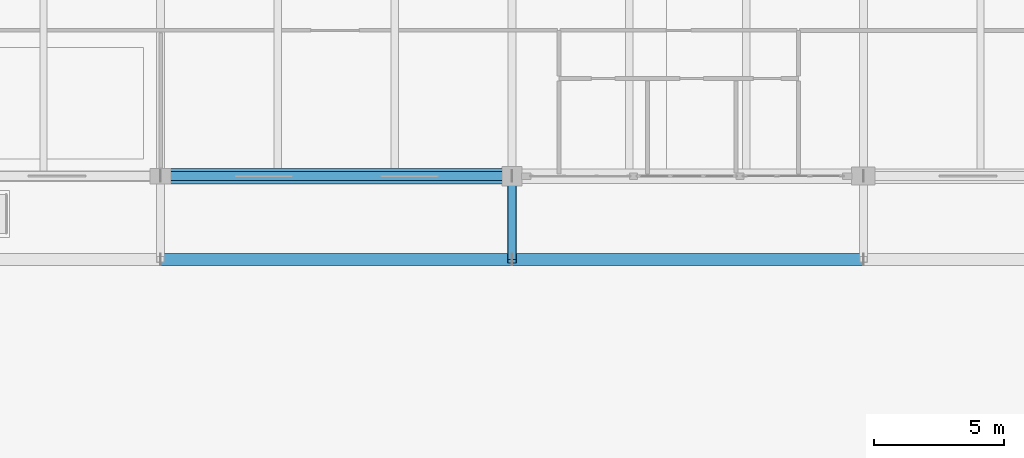
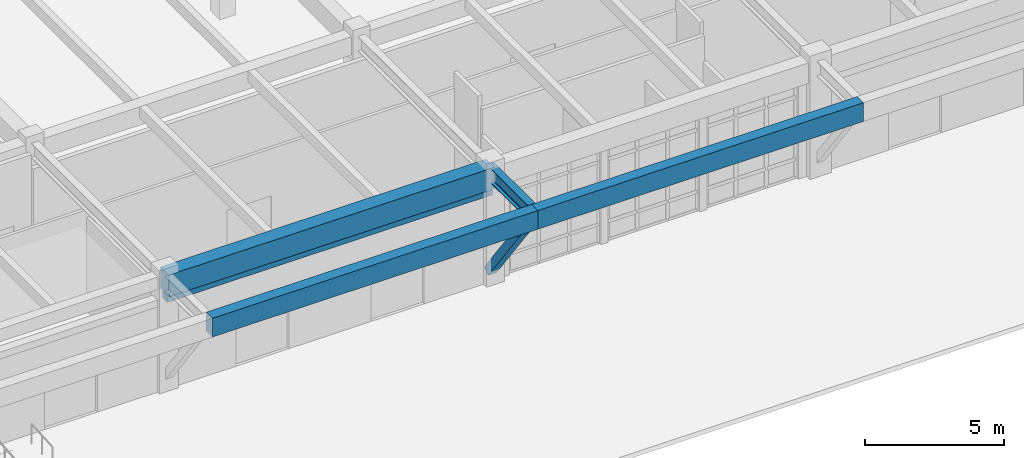
# One storey, part 16 of 138: 5 beams, 1 member.
"""IFC4 building model written with IfcOpenShell, lengths in metres."""

import ifcopenshell
import ifcopenshell.guid

model = None  # the IFC model being written
_history = None  # IfcOwnerHistory: only IFC2X3 demands one
_inside = {}  # id of a spatial element -> (the spatial element, [elements in it])
_under = {}  # id of a project, library or spatial element -> (it, [spatial elements below it])
_declared = {}  # id of a project -> (the project, [libraries it declares])
_typed = {}  # id of a type object -> (the type object, [elements of that type])
_made_of = {}  # id of a material, layer set ... -> (it, [elements and type objects made of it])


def new_model(schema):
    """Start an empty IFC model of exactly this schema.

    Asked for "IFC4X3", IfcOpenShell would pick the latest addendum, in which some entities
    have other attributes; the version numbers below select the first issue.
    IFC2X3 requires an IfcOwnerHistory on every rooted entity: one is made here for all.
    """
    global model, _history
    if schema == "IFC4X3":
        model = ifcopenshell.file(schema_version=(4, 3, 0, 0))
    else:
        model = ifcopenshell.file(schema=schema)
    _inside.clear()
    _under.clear()
    _declared.clear()
    _typed.clear()
    _made_of.clear()
    _history = None
    if model.schema == "IFC2X3":
        org = make("IfcOrganization", Name="unknown")
        user = make(
            "IfcPersonAndOrganization",
            ThePerson=make("IfcPerson", FamilyName="unknown"),
            TheOrganization=org,
        )
        app = make(
            "IfcApplication",
            ApplicationDeveloper=org,
            Version="unknown",
            ApplicationFullName="unknown",
            ApplicationIdentifier="unknown",
        )
        _history = make(
            "IfcOwnerHistory",
            OwningUser=user,
            OwningApplication=app,
            ChangeAction="ADDED",
            CreationDate=0,
        )
    return model


def make(cls, **values):
    """One entity of the class cls with the attributes given. An attribute that is None is left unset."""
    return model.create_entity(
        cls, **{name: value for name, value in values.items() if value is not None}
    )


def rooted(cls, **values):
    """An entity with a GlobalId (a new one), such as an element, a storey or a relation."""
    return make(cls, GlobalId=ifcopenshell.guid.new(), OwnerHistory=_history, **values)


def si_unit(unit_type, name, prefix=None):
    """IfcSIUnit, for example si_unit("LENGTHUNIT", "METRE", prefix="MILLI")."""
    return make("IfcSIUnit", UnitType=unit_type, Prefix=prefix, Name=name)


def assignment(units):
    """IfcUnitAssignment: the units of a project."""
    return None if units is None else make("IfcUnitAssignment", Units=units)


def point(xyz):
    """IfcCartesianPoint."""
    return None if xyz is None else make("IfcCartesianPoint", Coordinates=xyz)


def direction(xyz):
    """IfcDirection."""
    return None if xyz is None else make("IfcDirection", DirectionRatios=xyz)


def frame(location, z_axis=None, x_axis=None):
    """IfcAxis2Placement3D, a coordinate frame: its origin and axes. An axis left out is left unset."""
    return make(
        "IfcAxis2Placement3D",
        Location=point(location),
        Axis=direction(z_axis),
        RefDirection=direction(x_axis),
    )


def frame_2d(location, x_axis=None):
    """IfcAxis2Placement2D, a coordinate frame in the plane: its origin and x axis."""
    return make(
        "IfcAxis2Placement2D", Location=point(location), RefDirection=direction(x_axis)
    )


def origin():
    """The frame at (0, 0, 0) with its axes left unset."""
    return frame((0.0, 0.0, 0.0))


def origin_2d():
    """The frame at (0, 0) in the plane with its x axis left unset."""
    return frame_2d((0.0, 0.0))


def place(relative_to, where):
    """IfcLocalPlacement: puts the frame where relative to a parent placement (None: the world)."""
    return make(
        "IfcLocalPlacement", PlacementRelTo=relative_to, RelativePlacement=where
    )


def context(
    kind, dimensions, precision=None, world=None, true_north=None, identifier=None
):
    """IfcGeometricRepresentationContext, for example the 3D "Model" context."""
    return make(
        "IfcGeometricRepresentationContext",
        ContextIdentifier=identifier,
        ContextType=kind,
        CoordinateSpaceDimension=dimensions,
        Precision=precision,
        WorldCoordinateSystem=world,
        TrueNorth=true_north,
    )


def subcontext(parent, identifier, kind, view, scale=None):
    """IfcGeometricRepresentationSubContext, for example "Body" below "Model"."""
    return make(
        "IfcGeometricRepresentationSubContext",
        ContextIdentifier=identifier,
        ContextType=kind,
        ParentContext=parent,
        TargetScale=scale,
        TargetView=view,
    )


def project(units=None, contexts=None):
    """IfcProject with its units and contexts."""
    return rooted(
        "IfcProject",
        Name="project",
        RepresentationContexts=contexts,
        UnitsInContext=assignment(units),
    )


def spatial(cls, under=None, at=None, **own):
    """A site, building, storey or space (cls), placed at a placement, below another one or the project."""
    s = rooted(cls, ObjectPlacement=at, **own)
    if under is not None:
        _under.setdefault(under.id(), (under, []))[1].append(s)
    return s


def profile(cls, at=None, kind="AREA", **sizes):
    """A parametric profile (cls). Its sizes go by their IFC names, for example OverallWidth=200.0."""
    return make(cls, ProfileType=kind, Position=at, **sizes)


def rectangle(**sizes):
    """IfcRectangleProfileDef."""
    return profile("IfcRectangleProfileDef", **sizes)


def hollow_rectangle(**sizes):
    """IfcRectangleHollowProfileDef."""
    return profile("IfcRectangleHollowProfileDef", **sizes)


def i_section(**sizes):
    """IfcIShapeProfileDef."""
    return profile("IfcIShapeProfileDef", **sizes)


def extrude(swept, where, along, depth):
    """IfcExtrudedAreaSolid: the profile swept, set in the frame where, extruded along a direction by depth."""
    return make(
        "IfcExtrudedAreaSolid",
        SweptArea=swept,
        Position=where,
        ExtrudedDirection=direction(along),
        Depth=depth,
    )


def shape(context_of_items, identifier, shape_type, items):
    """IfcShapeRepresentation: the items that make up one representation, for example the "Body"."""
    return make(
        "IfcShapeRepresentation",
        ContextOfItems=context_of_items,
        RepresentationIdentifier=identifier,
        RepresentationType=shape_type,
        Items=items,
    )


def material(Name=None, Category=None):
    """IfcMaterial."""
    return make("IfcMaterial", Name=Name, Category=Category)


def material_profile(
    of_material, cross_section, Name=None, Category=None, Priority=None
):
    """IfcMaterialProfile: a cross section and its material."""
    return make(
        "IfcMaterialProfile",
        Name=Name,
        Material=of_material,
        Profile=cross_section,
        Priority=Priority,
        Category=Category,
    )


def profile_set(profiles, Name=None, composite=None):
    """IfcMaterialProfileSet."""
    return make(
        "IfcMaterialProfileSet",
        Name=Name,
        MaterialProfiles=profiles,
        CompositeProfile=composite,
    )


def made_of(thing, what):
    """Note that an element or type object is made of a material, layer set ...; save() writes the relation."""
    if what is not None:
        _made_of.setdefault(what.id(), (what, []))[1].append(thing)
    return thing


def type_object(cls, material=None, **own):
    """A type object (cls), such as IfcWallType, which elements share."""
    return made_of(rooted(cls, **own), material)


def element(
    cls,
    number,
    at=None,
    inside=None,
    cuts=None,
    type_object=None,
    material=None,
    context=None,
    identifier="Body",
    shape_type=None,
    held_by="IfcProductDefinitionShape",
    body=None,
    shapes=None,
    **own,
):
    """One element of the class cls, such as IfcWall. Its Tag is "e" and its number.

    at: its placement. inside: the storey or other place that contains it. cuts: it is an
    opening in that element (IfcRelVoidsElement). A single representation is given by context,
    identifier, shape_type and body (its items); several are given by shapes. held_by: the class
    of the entity that holds the representations. save() writes the other relations.
    """
    e = rooted(cls, Tag="e%d" % number, ObjectPlacement=at, **own)
    if body is not None:
        shapes = [shape(context, identifier, shape_type, body)]
    if shapes is not None:
        e.Representation = make(held_by, Representations=shapes)
    if inside is not None:
        _inside.setdefault(inside.id(), (inside, []))[1].append(e)
    if cuts is not None:
        rooted(
            "IfcRelVoidsElement", RelatingBuildingElement=cuts, RelatedOpeningElement=e
        )
    if type_object is not None:
        _typed.setdefault(type_object.id(), (type_object, []))[1].append(e)
    return made_of(e, material)


def aggregate(whole, parts):
    """IfcRelAggregates: a whole, such as a stair, and the parts it consists of."""
    return rooted("IfcRelAggregates", RelatingObject=whole, RelatedObjects=parts)


def save(model, path):
    """Write the relations noted so far, then the file.

    IfcRelAggregates (storeys below a building ...), IfcRelContainedInSpatialStructure (elements
    in a storey), IfcRelDefinesByType, IfcRelAssociatesMaterial and IfcRelDeclares: one each for
    every whole, place, type object, material and project.
    """
    for whole, parts in _under.values():
        aggregate(whole, parts)
    for where, things in _inside.values():
        rooted(
            "IfcRelContainedInSpatialStructure",
            RelatedElements=things,
            RelatingStructure=where,
        )
    for kind, things in _typed.values():
        rooted("IfcRelDefinesByType", RelatedObjects=things, RelatingType=kind)
    for what, things in _made_of.values():
        rooted("IfcRelAssociatesMaterial", RelatedObjects=things, RelatingMaterial=what)
    for by, libraries in _declared.values():
        rooted("IfcRelDeclares", RelatingContext=by, RelatedDefinitions=libraries)
    model.write(path)


model = new_model("IFC4")

# Units and contexts
model_context = context("Model", 3, precision=1e-05, world=origin(), true_north=direction((0.0, 1.0)))
body_context = subcontext(model_context, "Body", "Model", "MODEL_VIEW")
ifc_project = project(units=[si_unit("LENGTHUNIT", "METRE"), si_unit("AREAUNIT", "SQUARE_METRE"), si_unit("VOLUMEUNIT", "CUBIC_METRE"), si_unit("PLANEANGLEUNIT", "RADIAN"), si_unit("MASSUNIT", "GRAM", prefix="KILO")], contexts=[model_context])

# Site, building, storey
site_placement = place(None, origin())
site = spatial("IfcSite", under=ifc_project, at=site_placement, CompositionType="ELEMENT")
building_placement = place(site_placement, origin())
building = spatial("IfcBuilding", under=site, at=building_placement, Name="Fikremerkos Civic Library", CompositionType="ELEMENT")
storey_placement = place(building_placement, origin())
storey = spatial("IfcBuildingStorey", under=building, at=storey_placement, Name="L00", CompositionType="ELEMENT", Elevation=0.0)

# Beams
ifc_material_1 = material(Name="Concrete C40/50", Category="concrete")
ifc_material_profile_1 = material_profile(ifc_material_1, rectangle(XDim=0.35009765625, YDim=0.300048828125, at=origin_2d()), Name="RC 350x300")
ifc_profile_set_1 = profile_set([ifc_material_profile_1], Name="Concrete C40/50")
beam_type_1 = type_object("IfcBeamType", Name="Opening lintel LNT-01 RC 350x300", PredefinedType="LINTEL", material=ifc_profile_set_1)
beam_1_placement = place(storey_placement, frame((73.199951171875, 12.0, 3.949951171875), z_axis=(-1.0, 0.0, 0.0), x_axis=(0.0, -1.0, 0.0)))
element("IfcBeam", 1, at=beam_1_placement, inside=storey, type_object=beam_type_1, Name="Exterior doorway head lintel LNT-01 #173", PredefinedType="LINTEL", context=body_context, shape_type="SweptSolid", body=[
    extrude(rectangle(XDim=0.35009765625, YDim=0.300048828125, at=origin_2d()), origin(), (0.0, 0.0, 1.0), 13.5),
])
ifc_material_profile_2 = material_profile(ifc_material_1, rectangle(XDim=0.60009765625, YDim=0.949951171875, at=origin_2d()), Name="RC 600x950")
ifc_profile_set_2 = profile_set([ifc_material_profile_2], Name="Concrete C40/50")
beam_type_2 = type_object("IfcBeamType", Name="Primary girder BM-01 RC 600x950", PredefinedType="BEAM", material=ifc_profile_set_2)
beam_2_placement = place(storey_placement, frame((59.699951171875, 12.0, 4.60498046875), z_axis=(1.0, 0.0, 0.0), x_axis=(0.0, 1.0, 0.0)))
element("IfcBeam", 2, at=beam_2_placement, inside=storey, type_object=beam_type_2, Name="Primary girder BM-01 L00 grid E", PredefinedType="BEAM", context=body_context, shape_type="SweptSolid", body=[
    extrude(rectangle(XDim=0.60009765625, YDim=0.949951171875, at=origin_2d()), origin(), (0.0, 0.0, 1.0), 13.5),
])
ifc_material_2 = material(Name="Steel S355", Category="steel")
ifc_material_profile_3 = material_profile(ifc_material_2, i_section(OverallWidth=0.300048828125, OverallDepth=0.64990234375, WebThickness=0.01611328125, FlangeThickness=0.031005859375, FilletRadius=0.027099609375, at=origin_2d()), Name="HEB 650")
ifc_profile_set_3 = profile_set([ifc_material_profile_3], Name="Steel S355")
beam_type_3 = type_object("IfcBeamType", Name="Primary girder BM-12 HEB 650", PredefinedType="BEAM", material=ifc_profile_set_3)
beam_3_placement = place(storey_placement, frame((73.199951171875, 12.0, 4.7548828125), z_axis=(0.0, -1.0, 0.0), x_axis=(1.0, 0.0, 0.0)))
element("IfcBeam", 3, at=beam_3_placement, inside=storey, type_object=beam_type_3, Name="Cantilever girder BM-12 L00 X=73.2", PredefinedType="BEAM", context=body_context, shape_type="SweptSolid", body=[
    extrude(i_section(OverallWidth=0.300048828125, OverallDepth=0.64990234375, WebThickness=0.01611328125, FlangeThickness=0.031005859375, FilletRadius=0.027099609375, at=origin_2d()), origin(), (0.0, 0.0, 1.0), 3.199951171875),
])

# Member
ifc_material_profile_4 = material_profile(ifc_material_2, hollow_rectangle(XDim=0.35009765625, YDim=0.35009765625, WallThickness=0.01611328125, at=origin_2d()), Name="SHS 350x350x16")
ifc_profile_set_4 = profile_set([ifc_material_profile_4], Name="Steel S355")
member_type = type_object("IfcMemberType", Name="Raking strut STR-01 SHS 350x350x16", PredefinedType="STRUT", material=ifc_profile_set_4)
member_placement = place(storey_placement, frame((73.199951171875, 12.0, 0.39990234375), z_axis=(0.0, -0.592121340172, 0.805848818646), x_axis=(1.0, 0.0, 0.0)))
element("IfcMember", 4, at=member_placement, inside=storey, type_object=member_type, Name="Raking cantilever strut STR-01 L00 X=73.2", PredefinedType="STRUT", context=body_context, shape_type="SweptSolid", body=[
    extrude(hollow_rectangle(XDim=0.35009765625, YDim=0.35009765625, WallThickness=0.01611328125, at=origin_2d()), origin(), (0.0, 0.0, 1.0), 5.404296875),
])

# Beams
ifc_material_profile_5 = material_profile(ifc_material_1, rectangle(XDim=0.449951171875, YDim=0.820068359375, at=origin_2d()), Name="RC 450x820")
ifc_profile_set_5 = profile_set([ifc_material_profile_5], Name="Concrete C40/50")
beam_type_4 = type_object("IfcBeamType", Name="Spandrel edge beam SPB-02 RC 450x820", PredefinedType="SPANDREL", material=ifc_profile_set_5)
for number, where, z_axis, x_axis, name in (
    (5, (59.699951171875, 8.800048828125, 4.669921875), (1.0, 0.0, 0.0), (0.0, 1.0, 0.0), "Spandrel edge beam SPB-02 L00 Y=8.8 bay 4"),
    (6, (73.199951171875, 8.800048828125, 4.669921875), (1.0, 0.0, 0.0), (0.0, 1.0, 0.0), "Spandrel edge beam SPB-02 L00 Y=8.8 bay 5"),
):
    element("IfcBeam", number, at=place(storey_placement, frame(where, z_axis=z_axis, x_axis=x_axis)), inside=storey, type_object=beam_type_4, Name=name, PredefinedType="SPANDREL", context=body_context, shape_type="SweptSolid", body=[
        extrude(rectangle(XDim=0.449951171875, YDim=0.820068359375, at=origin_2d()), origin(), (0.0, 0.0, 1.0), 13.5),
    ])

save(model, "model.ifc")
